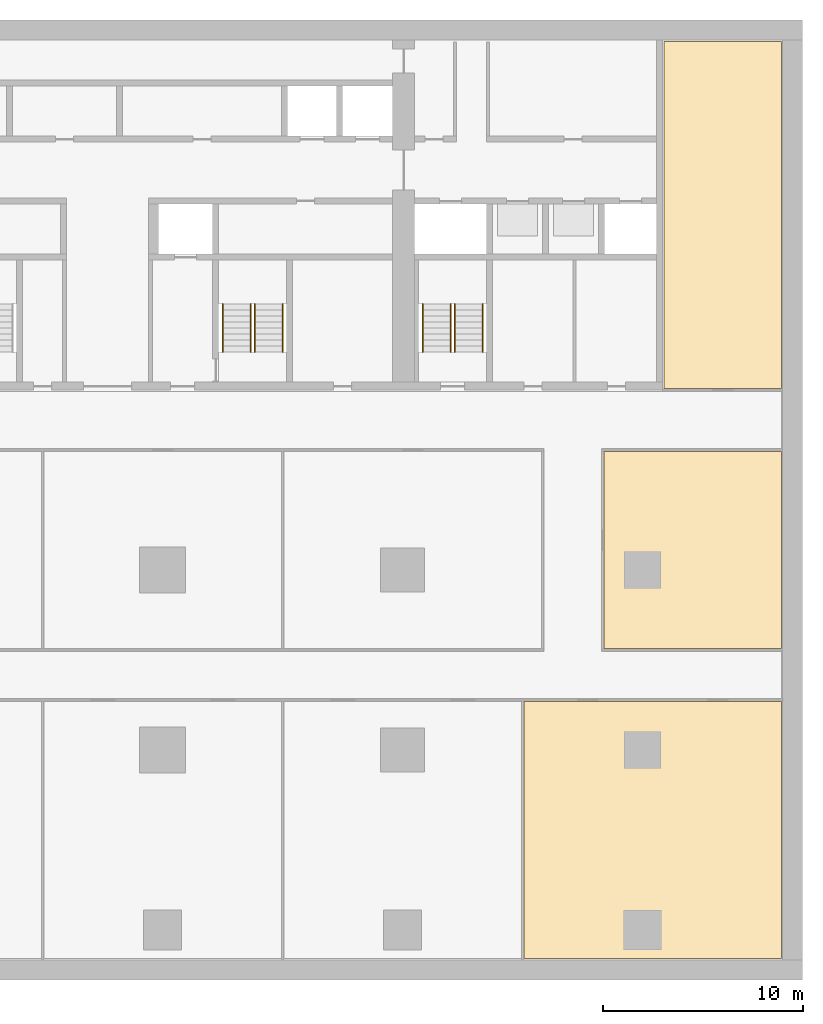
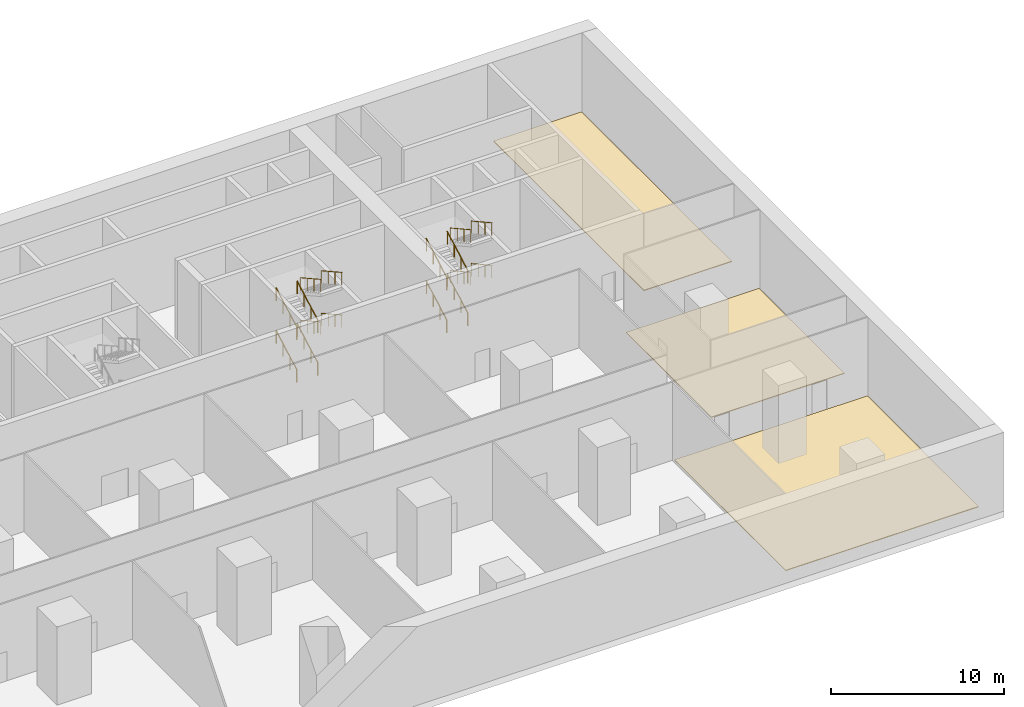
# One storey, part 9 of 10: 16 railings, 3 coverings, 2 elements without a shape of their own.
"""IFC4 building model written with IfcOpenShell, lengths in metres."""

from ifc_helpers import new_model, si_unit, direction, frame, origin, origin_2d, place, context, subcontext, project, spatial, polyline, circle, outline, extrude, material, layer, layer_set, type_object, element, aggregate, save


model = new_model("IFC4")

# Units and contexts
model_context = context("Model", 3, precision=1e-05, world=origin(), true_north=direction((0.0, 1.0)))
body_context = subcontext(model_context, "Body", "Model", "MODEL_VIEW")
ifc_project = project(units=[si_unit("LENGTHUNIT", "METRE"), si_unit("AREAUNIT", "SQUARE_METRE"), si_unit("VOLUMEUNIT", "CUBIC_METRE"), si_unit("PLANEANGLEUNIT", "RADIAN"), si_unit("MASSUNIT", "GRAM", prefix="KILO")], contexts=[model_context])

# Site, building, storey
site_placement = place(None, origin())
site = spatial("IfcSite", under=ifc_project, at=site_placement, CompositionType="ELEMENT")
building_placement = place(site_placement, origin())
building = spatial("IfcBuilding", under=site, at=building_placement, Name="Calvaro Tower", CompositionType="ELEMENT")
storey_placement = place(building_placement, frame((0.0, 0.0, -6.0)))
storey = spatial("IfcBuildingStorey", under=building, at=storey_placement, Name="B1", CompositionType="ELEMENT", Elevation=-6.0)

# Coverings
ifc_material_1 = material(Name="Cement screed with carpet tile finish")
ifc_layer = layer(ifc_material_1, 0.050048828125)
ifc_layer_set = layer_set([ifc_layer], Name="Cement screed with carpet tile finish")
covering_type = type_object("IfcCoveringType", Name="Floor finish 50", PredefinedType="FLOORING", material=ifc_layer_set)
covering_1_placement = place(storey_placement, origin())
element("IfcCovering", 1, at=covering_1_placement, inside=storey, type_object=covering_type, Name="Floor finish 02.07", PredefinedType="FLOORING", context=body_context, shape_type="SweptSolid", body=[
    extrude(outline(polyline([(78.929931640625, -0.429931640625), (66.070068359375, -0.429931640625), (66.070068359375, 12.429931640625), (78.929931640625, 12.429931640625), (78.929931640625, -0.429931640625)])), origin(), (0.0, 0.0, 1.0), 0.050048828125),
])
covering_2_placement = place(storey_placement, origin())
element("IfcCovering", 2, at=covering_2_placement, inside=storey, type_object=covering_type, Name="Floor finish 02.14", PredefinedType="FLOORING", context=body_context, shape_type="SweptSolid", body=[
    extrude(outline(polyline([(78.929931640625, 15.070068359375), (70.070068359375, 15.070068359375), (70.070068359375, 24.929931640625), (78.929931640625, 24.929931640625), (78.929931640625, 15.070068359375)])), origin(), (0.0, 0.0, 1.0), 0.050048828125),
])
covering_3_placement = place(storey_placement, origin())
element("IfcCovering", 3, at=covering_3_placement, inside=storey, type_object=covering_type, Name="Floor finish 02.16", PredefinedType="FLOORING", context=body_context, shape_type="SweptSolid", body=[
    extrude(outline(polyline([(78.929931640625, 28.070068359375), (73.070068359375, 28.070068359375), (73.070068359375, 45.429931640625), (78.929931640625, 45.429931640625), (78.929931640625, 28.070068359375)])), origin(), (0.0, 0.0, 1.0), 0.050048828125),
])

# Stair, railings
ifc_material_2 = material(Name="Concrete C40/50", Category="concrete")
stair_type = type_object("IfcStairType", Name="Exit stair 1400 4 flights", PredefinedType="DOUBLE_RETURN_STAIR", material=ifc_material_2)
stair_1_placement = place(storey_placement, origin())
stair_1 = element("IfcStair", 4, at=stair_1_placement, inside=storey, type_object=stair_type, Name="Exit stair S4", PredefinedType="DOUBLE_RETURN_STAIR")
ifc_material_3 = material(Name="Stainless steel", Category="steel")
railing_type = type_object("IfcRailingType", Name="Stair handrail", PredefinedType="HANDRAIL", material=ifc_material_3)
railing_1_placement = place(storey_placement, frame((52.39990234375, 29.89990234375, 0.166748046875)))
railing_1 = element("IfcRailing", 5, at=railing_1_placement, type_object=railing_type, Name="Exit stair 4 handrail", PredefinedType="HANDRAIL", context=body_context, shape_type="SweptSolid", body=[
    extrude(circle(Radius=0.02392578125, at=origin_2d()), frame((0.0, 0.0, 0.8759765625), z_axis=(0.0, 0.874182441271, 0.485597631145), x_axis=(-1.0, 0.0, 0.0)), (0.0, 0.0, 1.0), 2.74560546875),
    extrude(circle(Radius=0.02099609375, at=origin_2d()), frame((0.0, 0.018310546875, 0.01025390625)), (0.0, 0.0, 1.0), 0.851806640625),
    extrude(circle(Radius=0.02099609375, at=origin_2d()), frame((0.0, 0.800048828125, 0.4443359375)), (0.0, 0.0, 1.0), 0.851806640625),
    extrude(circle(Radius=0.02099609375, at=origin_2d()), frame((0.0, 1.60009765625, 0.888916015625)), (0.0, 0.0, 1.0), 0.851806640625),
    extrude(circle(Radius=0.02099609375, at=origin_2d()), frame((0.0, 2.3818359375, 1.322998046875)), (0.0, 0.0, 1.0), 0.851806640625),
])
railing_2_placement = place(storey_placement, frame((51.0, 29.89990234375, 0.166748046875)))
railing_2 = element("IfcRailing", 6, at=railing_2_placement, type_object=railing_type, Name="Exit stair 4 handrail", PredefinedType="HANDRAIL", context=body_context, shape_type="SweptSolid", body=[
    extrude(circle(Radius=0.02392578125, at=origin_2d()), frame((0.0, 0.0, 0.8759765625), z_axis=(0.0, 0.874182441271, 0.485597631145), x_axis=(-1.0, 0.0, 0.0)), (0.0, 0.0, 1.0), 2.74560546875),
    extrude(circle(Radius=0.02099609375, at=origin_2d()), frame((0.0, 0.018310546875, 0.01025390625)), (0.0, 0.0, 1.0), 0.851806640625),
    extrude(circle(Radius=0.02099609375, at=origin_2d()), frame((0.0, 0.800048828125, 0.4443359375)), (0.0, 0.0, 1.0), 0.851806640625),
    extrude(circle(Radius=0.02099609375, at=origin_2d()), frame((0.0, 1.60009765625, 0.888916015625)), (0.0, 0.0, 1.0), 0.851806640625),
    extrude(circle(Radius=0.02099609375, at=origin_2d()), frame((0.0, 2.3818359375, 1.322998046875)), (0.0, 0.0, 1.0), 0.851806640625),
])
railing_3_placement = place(storey_placement, frame((52.60009765625, 32.300048828125, 1.666748046875)))
railing_3 = element("IfcRailing", 7, at=railing_3_placement, type_object=railing_type, Name="Exit stair 4 handrail", PredefinedType="HANDRAIL", context=body_context, shape_type="SweptSolid", body=[
    extrude(circle(Radius=0.02392578125, at=origin_2d()), frame((0.0, 0.0, 0.8759765625), z_axis=(0.0, -0.874182441271, 0.485597631145), x_axis=(1.0, 0.0, 0.0)), (0.0, 0.0, 1.0), 2.74560546875),
    extrude(circle(Radius=0.02099609375, at=origin_2d()), frame((0.0, -0.018310546875, 0.01025390625)), (0.0, 0.0, 1.0), 0.851806640625),
    extrude(circle(Radius=0.02099609375, at=origin_2d()), frame((0.0, -0.800048828125, 0.4443359375)), (0.0, 0.0, 1.0), 0.851806640625),
    extrude(circle(Radius=0.02099609375, at=origin_2d()), frame((0.0, -1.60009765625, 0.888916015625)), (0.0, 0.0, 1.0), 0.851806640625),
    extrude(circle(Radius=0.02099609375, at=origin_2d()), frame((0.0, -2.3818359375, 1.322998046875)), (0.0, 0.0, 1.0), 0.851806640625),
])
railing_4_placement = place(storey_placement, frame((54.0, 32.300048828125, 1.666748046875)))
railing_4 = element("IfcRailing", 8, at=railing_4_placement, type_object=railing_type, Name="Exit stair 4 handrail", PredefinedType="HANDRAIL", context=body_context, shape_type="SweptSolid", body=[
    extrude(circle(Radius=0.02392578125, at=origin_2d()), frame((0.0, 0.0, 0.8759765625), z_axis=(0.0, -0.874182441271, 0.485597631145), x_axis=(1.0, 0.0, 0.0)), (0.0, 0.0, 1.0), 2.74560546875),
    extrude(circle(Radius=0.02099609375, at=origin_2d()), frame((0.0, -0.018310546875, 0.01025390625)), (0.0, 0.0, 1.0), 0.851806640625),
    extrude(circle(Radius=0.02099609375, at=origin_2d()), frame((0.0, -0.800048828125, 0.4443359375)), (0.0, 0.0, 1.0), 0.851806640625),
    extrude(circle(Radius=0.02099609375, at=origin_2d()), frame((0.0, -1.60009765625, 0.888916015625)), (0.0, 0.0, 1.0), 0.851806640625),
    extrude(circle(Radius=0.02099609375, at=origin_2d()), frame((0.0, -2.3818359375, 1.322998046875)), (0.0, 0.0, 1.0), 0.851806640625),
])
railing_5_placement = place(storey_placement, frame((52.39990234375, 29.89990234375, 3.166748046875)))
railing_5 = element("IfcRailing", 9, at=railing_5_placement, type_object=railing_type, Name="Exit stair 4 handrail", PredefinedType="HANDRAIL", context=body_context, shape_type="SweptSolid", body=[
    extrude(circle(Radius=0.02392578125, at=origin_2d()), frame((0.0, 0.0, 0.8759765625), z_axis=(0.0, 0.874182441271, 0.485597631145), x_axis=(-1.0, 0.0, 0.0)), (0.0, 0.0, 1.0), 2.74560546875),
    extrude(circle(Radius=0.02099609375, at=origin_2d()), frame((0.0, 0.018310546875, 0.01025390625)), (0.0, 0.0, 1.0), 0.851806640625),
    extrude(circle(Radius=0.02099609375, at=origin_2d()), frame((0.0, 0.800048828125, 0.4443359375)), (0.0, 0.0, 1.0), 0.851806640625),
    extrude(circle(Radius=0.02099609375, at=origin_2d()), frame((0.0, 1.60009765625, 0.888916015625)), (0.0, 0.0, 1.0), 0.851806640625),
    extrude(circle(Radius=0.02099609375, at=origin_2d()), frame((0.0, 2.3818359375, 1.322998046875)), (0.0, 0.0, 1.0), 0.851806640625),
])
railing_6_placement = place(storey_placement, frame((51.0, 29.89990234375, 3.166748046875)))
railing_6 = element("IfcRailing", 10, at=railing_6_placement, type_object=railing_type, Name="Exit stair 4 handrail", PredefinedType="HANDRAIL", context=body_context, shape_type="SweptSolid", body=[
    extrude(circle(Radius=0.02392578125, at=origin_2d()), frame((0.0, 0.0, 0.8759765625), z_axis=(0.0, 0.874182441271, 0.485597631145), x_axis=(-1.0, 0.0, 0.0)), (0.0, 0.0, 1.0), 2.74560546875),
    extrude(circle(Radius=0.02099609375, at=origin_2d()), frame((0.0, 0.018310546875, 0.01025390625)), (0.0, 0.0, 1.0), 0.851806640625),
    extrude(circle(Radius=0.02099609375, at=origin_2d()), frame((0.0, 0.800048828125, 0.4443359375)), (0.0, 0.0, 1.0), 0.851806640625),
    extrude(circle(Radius=0.02099609375, at=origin_2d()), frame((0.0, 1.60009765625, 0.888916015625)), (0.0, 0.0, 1.0), 0.851806640625),
    extrude(circle(Radius=0.02099609375, at=origin_2d()), frame((0.0, 2.3818359375, 1.322998046875)), (0.0, 0.0, 1.0), 0.851806640625),
])
railing_7_placement = place(storey_placement, frame((52.60009765625, 32.300048828125, 4.666748046875)))
railing_7 = element("IfcRailing", 11, at=railing_7_placement, type_object=railing_type, Name="Exit stair 4 handrail", PredefinedType="HANDRAIL", context=body_context, shape_type="SweptSolid", body=[
    extrude(circle(Radius=0.02392578125, at=origin_2d()), frame((0.0, 0.0, 0.8759765625), z_axis=(0.0, -0.874182441271, 0.485597631145), x_axis=(1.0, 0.0, 0.0)), (0.0, 0.0, 1.0), 2.74560546875),
    extrude(circle(Radius=0.02099609375, at=origin_2d()), frame((0.0, -0.018310546875, 0.01025390625)), (0.0, 0.0, 1.0), 0.851806640625),
    extrude(circle(Radius=0.02099609375, at=origin_2d()), frame((0.0, -0.800048828125, 0.4443359375)), (0.0, 0.0, 1.0), 0.851806640625),
    extrude(circle(Radius=0.02099609375, at=origin_2d()), frame((0.0, -1.60009765625, 0.888916015625)), (0.0, 0.0, 1.0), 0.851806640625),
    extrude(circle(Radius=0.02099609375, at=origin_2d()), frame((0.0, -2.3818359375, 1.322998046875)), (0.0, 0.0, 1.0), 0.851806640625),
])
railing_8_placement = place(storey_placement, frame((54.0, 32.300048828125, 4.666748046875)))
railing_8 = element("IfcRailing", 12, at=railing_8_placement, type_object=railing_type, Name="Exit stair 4 handrail", PredefinedType="HANDRAIL", context=body_context, shape_type="SweptSolid", body=[
    extrude(circle(Radius=0.02392578125, at=origin_2d()), frame((0.0, 0.0, 0.8759765625), z_axis=(0.0, -0.874182441271, 0.485597631145), x_axis=(1.0, 0.0, 0.0)), (0.0, 0.0, 1.0), 2.74560546875),
    extrude(circle(Radius=0.02099609375, at=origin_2d()), frame((0.0, -0.018310546875, 0.01025390625)), (0.0, 0.0, 1.0), 0.851806640625),
    extrude(circle(Radius=0.02099609375, at=origin_2d()), frame((0.0, -0.800048828125, 0.4443359375)), (0.0, 0.0, 1.0), 0.851806640625),
    extrude(circle(Radius=0.02099609375, at=origin_2d()), frame((0.0, -1.60009765625, 0.888916015625)), (0.0, 0.0, 1.0), 0.851806640625),
    extrude(circle(Radius=0.02099609375, at=origin_2d()), frame((0.0, -2.3818359375, 1.322998046875)), (0.0, 0.0, 1.0), 0.851806640625),
])
aggregate(stair_1, [railing_1, railing_2, railing_3, railing_4, railing_5, railing_6, railing_7, railing_8])

stair_2_placement = place(storey_placement, origin())
stair_2 = element("IfcStair", 13, at=stair_2_placement, inside=storey, type_object=stair_type, Name="Exit stair S5", PredefinedType="DOUBLE_RETURN_STAIR")
railing_9_placement = place(storey_placement, frame((62.39990234375, 29.89990234375, 0.166748046875)))
railing_9 = element("IfcRailing", 14, at=railing_9_placement, type_object=railing_type, Name="Exit stair 5 handrail", PredefinedType="HANDRAIL", context=body_context, shape_type="SweptSolid", body=[
    extrude(circle(Radius=0.02392578125, at=origin_2d()), frame((0.0, 0.0, 0.8759765625), z_axis=(0.0, 0.874182441271, 0.485597631145), x_axis=(-1.0, 0.0, 0.0)), (0.0, 0.0, 1.0), 2.74560546875),
    extrude(circle(Radius=0.02099609375, at=origin_2d()), frame((0.0, 0.018310546875, 0.01025390625)), (0.0, 0.0, 1.0), 0.851806640625),
    extrude(circle(Radius=0.02099609375, at=origin_2d()), frame((0.0, 0.800048828125, 0.4443359375)), (0.0, 0.0, 1.0), 0.851806640625),
    extrude(circle(Radius=0.02099609375, at=origin_2d()), frame((0.0, 1.60009765625, 0.888916015625)), (0.0, 0.0, 1.0), 0.851806640625),
    extrude(circle(Radius=0.02099609375, at=origin_2d()), frame((0.0, 2.3818359375, 1.322998046875)), (0.0, 0.0, 1.0), 0.851806640625),
])
railing_10_placement = place(storey_placement, frame((61.0, 29.89990234375, 0.166748046875)))
railing_10 = element("IfcRailing", 15, at=railing_10_placement, type_object=railing_type, Name="Exit stair 5 handrail", PredefinedType="HANDRAIL", context=body_context, shape_type="SweptSolid", body=[
    extrude(circle(Radius=0.02392578125, at=origin_2d()), frame((0.0, 0.0, 0.8759765625), z_axis=(0.0, 0.874182441271, 0.485597631145), x_axis=(-1.0, 0.0, 0.0)), (0.0, 0.0, 1.0), 2.74560546875),
    extrude(circle(Radius=0.02099609375, at=origin_2d()), frame((0.0, 0.018310546875, 0.01025390625)), (0.0, 0.0, 1.0), 0.851806640625),
    extrude(circle(Radius=0.02099609375, at=origin_2d()), frame((0.0, 0.800048828125, 0.4443359375)), (0.0, 0.0, 1.0), 0.851806640625),
    extrude(circle(Radius=0.02099609375, at=origin_2d()), frame((0.0, 1.60009765625, 0.888916015625)), (0.0, 0.0, 1.0), 0.851806640625),
    extrude(circle(Radius=0.02099609375, at=origin_2d()), frame((0.0, 2.3818359375, 1.322998046875)), (0.0, 0.0, 1.0), 0.851806640625),
])
railing_11_placement = place(storey_placement, frame((62.60009765625, 32.300048828125, 1.666748046875)))
railing_11 = element("IfcRailing", 16, at=railing_11_placement, type_object=railing_type, Name="Exit stair 5 handrail", PredefinedType="HANDRAIL", context=body_context, shape_type="SweptSolid", body=[
    extrude(circle(Radius=0.02392578125, at=origin_2d()), frame((0.0, 0.0, 0.8759765625), z_axis=(0.0, -0.874182441271, 0.485597631145), x_axis=(1.0, 0.0, 0.0)), (0.0, 0.0, 1.0), 2.74560546875),
    extrude(circle(Radius=0.02099609375, at=origin_2d()), frame((0.0, -0.018310546875, 0.01025390625)), (0.0, 0.0, 1.0), 0.851806640625),
    extrude(circle(Radius=0.02099609375, at=origin_2d()), frame((0.0, -0.800048828125, 0.4443359375)), (0.0, 0.0, 1.0), 0.851806640625),
    extrude(circle(Radius=0.02099609375, at=origin_2d()), frame((0.0, -1.60009765625, 0.888916015625)), (0.0, 0.0, 1.0), 0.851806640625),
    extrude(circle(Radius=0.02099609375, at=origin_2d()), frame((0.0, -2.3818359375, 1.322998046875)), (0.0, 0.0, 1.0), 0.851806640625),
])
railing_12_placement = place(storey_placement, frame((64.0, 32.300048828125, 1.666748046875)))
railing_12 = element("IfcRailing", 17, at=railing_12_placement, type_object=railing_type, Name="Exit stair 5 handrail", PredefinedType="HANDRAIL", context=body_context, shape_type="SweptSolid", body=[
    extrude(circle(Radius=0.02392578125, at=origin_2d()), frame((0.0, 0.0, 0.8759765625), z_axis=(0.0, -0.874182441271, 0.485597631145), x_axis=(1.0, 0.0, 0.0)), (0.0, 0.0, 1.0), 2.74560546875),
    extrude(circle(Radius=0.02099609375, at=origin_2d()), frame((0.0, -0.018310546875, 0.01025390625)), (0.0, 0.0, 1.0), 0.851806640625),
    extrude(circle(Radius=0.02099609375, at=origin_2d()), frame((0.0, -0.800048828125, 0.4443359375)), (0.0, 0.0, 1.0), 0.851806640625),
    extrude(circle(Radius=0.02099609375, at=origin_2d()), frame((0.0, -1.60009765625, 0.888916015625)), (0.0, 0.0, 1.0), 0.851806640625),
    extrude(circle(Radius=0.02099609375, at=origin_2d()), frame((0.0, -2.3818359375, 1.322998046875)), (0.0, 0.0, 1.0), 0.851806640625),
])
railing_13_placement = place(storey_placement, frame((62.39990234375, 29.89990234375, 3.166748046875)))
railing_13 = element("IfcRailing", 18, at=railing_13_placement, type_object=railing_type, Name="Exit stair 5 handrail", PredefinedType="HANDRAIL", context=body_context, shape_type="SweptSolid", body=[
    extrude(circle(Radius=0.02392578125, at=origin_2d()), frame((0.0, 0.0, 0.8759765625), z_axis=(0.0, 0.874182441271, 0.485597631145), x_axis=(-1.0, 0.0, 0.0)), (0.0, 0.0, 1.0), 2.74560546875),
    extrude(circle(Radius=0.02099609375, at=origin_2d()), frame((0.0, 0.018310546875, 0.01025390625)), (0.0, 0.0, 1.0), 0.851806640625),
    extrude(circle(Radius=0.02099609375, at=origin_2d()), frame((0.0, 0.800048828125, 0.4443359375)), (0.0, 0.0, 1.0), 0.851806640625),
    extrude(circle(Radius=0.02099609375, at=origin_2d()), frame((0.0, 1.60009765625, 0.888916015625)), (0.0, 0.0, 1.0), 0.851806640625),
    extrude(circle(Radius=0.02099609375, at=origin_2d()), frame((0.0, 2.3818359375, 1.322998046875)), (0.0, 0.0, 1.0), 0.851806640625),
])
railing_14_placement = place(storey_placement, frame((61.0, 29.89990234375, 3.166748046875)))
railing_14 = element("IfcRailing", 19, at=railing_14_placement, type_object=railing_type, Name="Exit stair 5 handrail", PredefinedType="HANDRAIL", context=body_context, shape_type="SweptSolid", body=[
    extrude(circle(Radius=0.02392578125, at=origin_2d()), frame((0.0, 0.0, 0.8759765625), z_axis=(0.0, 0.874182441271, 0.485597631145), x_axis=(-1.0, 0.0, 0.0)), (0.0, 0.0, 1.0), 2.74560546875),
    extrude(circle(Radius=0.02099609375, at=origin_2d()), frame((0.0, 0.018310546875, 0.01025390625)), (0.0, 0.0, 1.0), 0.851806640625),
    extrude(circle(Radius=0.02099609375, at=origin_2d()), frame((0.0, 0.800048828125, 0.4443359375)), (0.0, 0.0, 1.0), 0.851806640625),
    extrude(circle(Radius=0.02099609375, at=origin_2d()), frame((0.0, 1.60009765625, 0.888916015625)), (0.0, 0.0, 1.0), 0.851806640625),
    extrude(circle(Radius=0.02099609375, at=origin_2d()), frame((0.0, 2.3818359375, 1.322998046875)), (0.0, 0.0, 1.0), 0.851806640625),
])
railing_15_placement = place(storey_placement, frame((62.60009765625, 32.300048828125, 4.666748046875)))
railing_15 = element("IfcRailing", 20, at=railing_15_placement, type_object=railing_type, Name="Exit stair 5 handrail", PredefinedType="HANDRAIL", context=body_context, shape_type="SweptSolid", body=[
    extrude(circle(Radius=0.02392578125, at=origin_2d()), frame((0.0, 0.0, 0.8759765625), z_axis=(0.0, -0.874182441271, 0.485597631145), x_axis=(1.0, 0.0, 0.0)), (0.0, 0.0, 1.0), 2.74560546875),
    extrude(circle(Radius=0.02099609375, at=origin_2d()), frame((0.0, -0.018310546875, 0.01025390625)), (0.0, 0.0, 1.0), 0.851806640625),
    extrude(circle(Radius=0.02099609375, at=origin_2d()), frame((0.0, -0.800048828125, 0.4443359375)), (0.0, 0.0, 1.0), 0.851806640625),
    extrude(circle(Radius=0.02099609375, at=origin_2d()), frame((0.0, -1.60009765625, 0.888916015625)), (0.0, 0.0, 1.0), 0.851806640625),
    extrude(circle(Radius=0.02099609375, at=origin_2d()), frame((0.0, -2.3818359375, 1.322998046875)), (0.0, 0.0, 1.0), 0.851806640625),
])
railing_16_placement = place(storey_placement, frame((64.0, 32.300048828125, 4.666748046875)))
railing_16 = element("IfcRailing", 21, at=railing_16_placement, type_object=railing_type, Name="Exit stair 5 handrail", PredefinedType="HANDRAIL", context=body_context, shape_type="SweptSolid", body=[
    extrude(circle(Radius=0.02392578125, at=origin_2d()), frame((0.0, 0.0, 0.8759765625), z_axis=(0.0, -0.874182441271, 0.485597631145), x_axis=(1.0, 0.0, 0.0)), (0.0, 0.0, 1.0), 2.74560546875),
    extrude(circle(Radius=0.02099609375, at=origin_2d()), frame((0.0, -0.018310546875, 0.01025390625)), (0.0, 0.0, 1.0), 0.851806640625),
    extrude(circle(Radius=0.02099609375, at=origin_2d()), frame((0.0, -0.800048828125, 0.4443359375)), (0.0, 0.0, 1.0), 0.851806640625),
    extrude(circle(Radius=0.02099609375, at=origin_2d()), frame((0.0, -1.60009765625, 0.888916015625)), (0.0, 0.0, 1.0), 0.851806640625),
    extrude(circle(Radius=0.02099609375, at=origin_2d()), frame((0.0, -2.3818359375, 1.322998046875)), (0.0, 0.0, 1.0), 0.851806640625),
])
aggregate(stair_2, [railing_9, railing_10, railing_11, railing_12, railing_13, railing_14, railing_15, railing_16])

save(model, "model.ifc")
